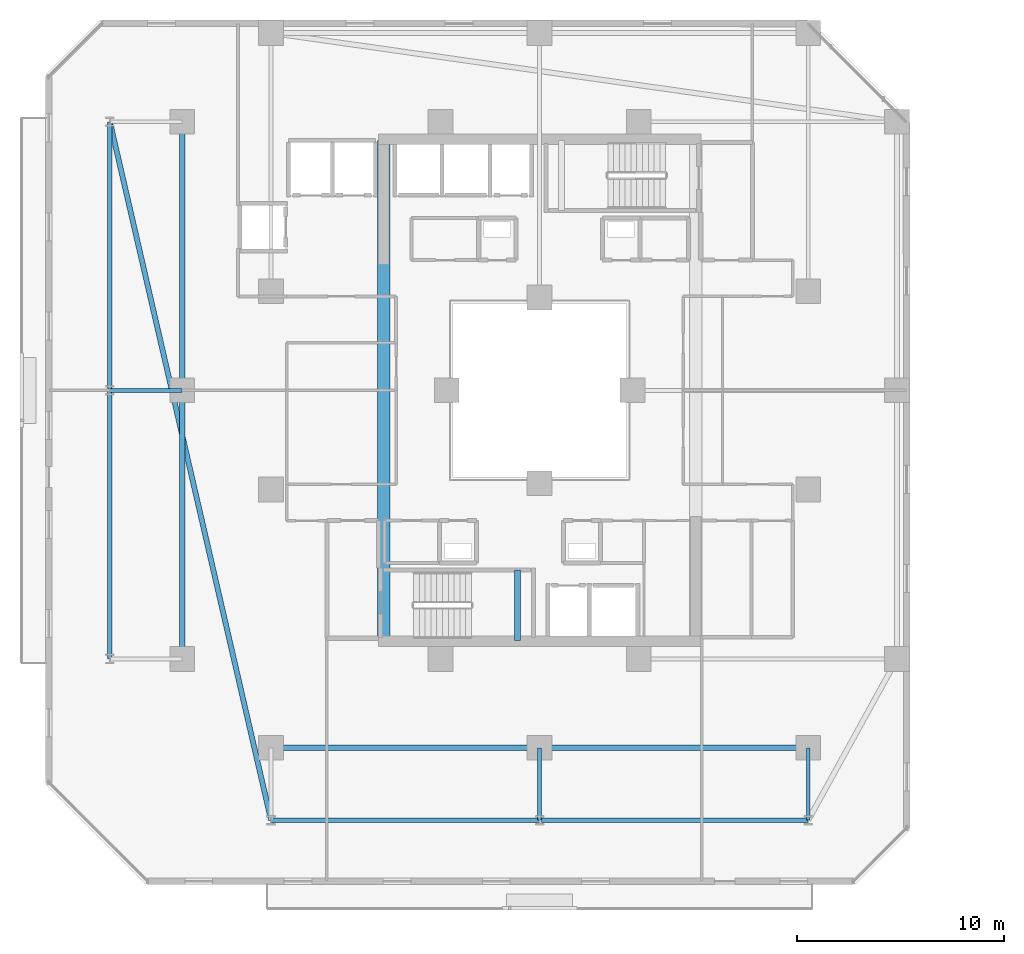
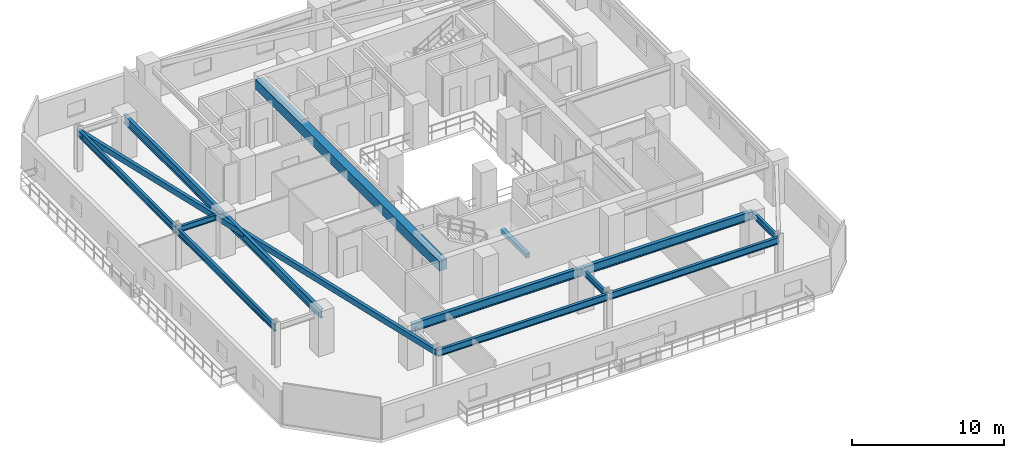
# One storey, part 4 of 34: 14 beams.
"""IFC4 building model written with IfcOpenShell, lengths in metres."""

from ifc_helpers import new_model, si_unit, direction, frame, origin, origin_2d, place, context, subcontext, project, spatial, rectangle, hollow_rectangle, i_section, extrude, material, material_profile, profile_set, type_object, element, save


model = new_model("IFC4")

# Units and contexts
model_context = context("Model", 3, precision=1e-05, world=origin(), true_north=direction((0.0, 1.0)))
body_context = subcontext(model_context, "Body", "Model", "MODEL_VIEW")
ifc_project = project(units=[si_unit("LENGTHUNIT", "METRE"), si_unit("AREAUNIT", "SQUARE_METRE"), si_unit("VOLUMEUNIT", "CUBIC_METRE"), si_unit("PLANEANGLEUNIT", "RADIAN"), si_unit("MASSUNIT", "GRAM", prefix="KILO")], contexts=[model_context])

# Site, building, storey
site_placement = place(None, origin())
site = spatial("IfcSite", under=ifc_project, at=site_placement, CompositionType="ELEMENT")
building_placement = place(site_placement, origin())
building = spatial("IfcBuilding", under=site, at=building_placement, Name="Thornwick Lancets Civic Towers", CompositionType="ELEMENT")
storey_placement = place(building_placement, frame((0.0, 0.0, 137.699951171875)))
storey = spatial("IfcBuildingStorey", under=building, at=storey_placement, Name="L36", CompositionType="ELEMENT", Elevation=137.699951171875)

# Beams
ifc_material_1 = material(Name="Concrete C60/75", Category="concrete")
ifc_material_profile_1 = material_profile(ifc_material_1, rectangle(XDim=0.60009765625, YDim=0.800048828125, at=origin_2d()), Name="RC 600x800")
ifc_profile_set_1 = profile_set([ifc_material_profile_1], Name="Concrete C60/75")
beam_type_1 = type_object("IfcBeamType", Name="BM_COUP_RC800", PredefinedType="BEAM", material=ifc_profile_set_1)
beam_1_placement = place(storey_placement, frame((17.949951171875, 14.89990234375, 2.880126953125), z_axis=(0.0, 1.0, 0.0), x_axis=(-1.0, 0.0, 0.0)))
element("IfcBeam", 1, at=beam_1_placement, inside=storey, type_object=beam_type_1, Name="CB-L36-A2", PredefinedType="BEAM", context=body_context, shape_type="SweptSolid", body=[
    extrude(rectangle(XDim=0.60009765625, YDim=0.800048828125, at=origin_2d()), origin(), (0.0, 0.0, 1.0), 24.2001953125),
])
ifc_material_2 = material(Name="Steel S355JR", Category="steel")
ifc_material_profile_2 = material_profile(ifc_material_2, i_section(OverallWidth=0.2119140625, OverallDepth=0.54443359375, WebThickness=0.0126953125, FlangeThickness=0.021240234375, FilletRadius=0.0126953125, at=origin_2d()), Name="UKB 533x210x122")
ifc_profile_set_2 = profile_set([ifc_material_profile_2], Name="Steel S355JR")
beam_type_2 = type_object("IfcBeamType", Name="BM_EDGE_533_122", PredefinedType="SPANDREL", material=ifc_profile_set_2)
beam_2_placement = place(storey_placement, frame((12.5, 6.199951171875, 3.0078125), z_axis=(1.0, 0.0, 0.0), x_axis=(0.0, 1.0, 0.0)))
element("IfcBeam", 2, at=beam_2_placement, inside=storey, type_object=beam_type_2, Name="BM-EDGE-L36-A-S0-1", PredefinedType="SPANDREL", context=body_context, shape_type="SweptSolid", body=[
    extrude(i_section(OverallWidth=0.2119140625, OverallDepth=0.54443359375, WebThickness=0.0126953125, FlangeThickness=0.021240234375, FilletRadius=0.0126953125, at=origin_2d()), origin(), (0.0, 0.0, 1.0), 13.0),
])
beam_3_placement = place(storey_placement, frame((25.580078125, 6.199951171875, 3.0078125), z_axis=(1.0, 0.0, 0.0), x_axis=(0.0, 1.0, 0.0)))
element("IfcBeam", 3, at=beam_3_placement, inside=storey, type_object=beam_type_2, Name="BM-EDGE-L36-A-S0-2", PredefinedType="SPANDREL", context=body_context, shape_type="SweptSolid", body=[
    extrude(i_section(OverallWidth=0.2119140625, OverallDepth=0.54443359375, WebThickness=0.0126953125, FlangeThickness=0.021240234375, FilletRadius=0.0126953125, at=origin_2d()), origin(), (0.0, 0.0, 1.0), 12.919921875),
])
beam_4_placement = place(storey_placement, frame((4.699951171875, 14.0, 3.0078125), z_axis=(0.0, 1.0, 0.0), x_axis=(-1.0, 0.0, 0.0)))
element("IfcBeam", 4, at=beam_4_placement, inside=storey, type_object=beam_type_2, Name="BM-EDGE-L36-A-S3-1", PredefinedType="SPANDREL", context=body_context, shape_type="SweptSolid", body=[
    extrude(i_section(OverallWidth=0.2119140625, OverallDepth=0.54443359375, WebThickness=0.0126953125, FlangeThickness=0.021240234375, FilletRadius=0.0126953125, at=origin_2d()), origin(), (0.0, 0.0, 1.0), 13.0),
])
beam_5_placement = place(storey_placement, frame((4.699951171875, 27.080078125, 3.0078125), z_axis=(0.0, 1.0, 0.0), x_axis=(-1.0, 0.0, 0.0)))
element("IfcBeam", 5, at=beam_5_placement, inside=storey, type_object=beam_type_2, Name="BM-EDGE-L36-A-S3-2", PredefinedType="SPANDREL", context=body_context, shape_type="SweptSolid", body=[
    extrude(i_section(OverallWidth=0.2119140625, OverallDepth=0.54443359375, WebThickness=0.0126953125, FlangeThickness=0.021240234375, FilletRadius=0.0126953125, at=origin_2d()), origin(), (0.0, 0.0, 1.0), 12.919921875),
])
ifc_material_profile_3 = material_profile(ifc_material_2, i_section(OverallWidth=0.255859375, OverallDepth=0.69287109375, WebThickness=0.014404296875, FlangeThickness=0.023681640625, FilletRadius=0.01513671875, at=origin_2d()), Name="UKB 686x254x170")
ifc_profile_set_3 = profile_set([ifc_material_profile_3], Name="Steel S355JR")
beam_type_3 = type_object("IfcBeamType", Name="BM_GIRD_686_170", PredefinedType="BEAM", material=ifc_profile_set_3)
beam_6_placement = place(storey_placement, frame((12.5, 9.699951171875, 2.93359375), z_axis=(1.0, 0.0, 0.0), x_axis=(0.0, 1.0, 0.0)))
element("IfcBeam", 6, at=beam_6_placement, inside=storey, type_object=beam_type_3, Name="BM-SPINE-L36-A-0-1", PredefinedType="BEAM", context=body_context, shape_type="SweptSolid", body=[
    extrude(i_section(OverallWidth=0.255859375, OverallDepth=0.69287109375, WebThickness=0.014404296875, FlangeThickness=0.023681640625, FilletRadius=0.01513671875, at=origin_2d()), origin(), (0.0, 0.0, 1.0), 13.0),
])
beam_7_placement = place(storey_placement, frame((25.580078125, 9.699951171875, 2.93359375), z_axis=(1.0, 0.0, 0.0), x_axis=(0.0, 1.0, 0.0)))
element("IfcBeam", 7, at=beam_7_placement, inside=storey, type_object=beam_type_3, Name="BM-SPINE-L36-A-1-2", PredefinedType="BEAM", context=body_context, shape_type="SweptSolid", body=[
    extrude(i_section(OverallWidth=0.255859375, OverallDepth=0.69287109375, WebThickness=0.014404296875, FlangeThickness=0.023681640625, FilletRadius=0.01513671875, at=origin_2d()), origin(), (0.0, 0.0, 1.0), 12.919921875),
])
beam_8_placement = place(storey_placement, frame((8.199951171875, 14.0, 2.93359375), z_axis=(0.0, 1.0, 0.0), x_axis=(-1.0, 0.0, 0.0)))
element("IfcBeam", 8, at=beam_8_placement, inside=storey, type_object=beam_type_3, Name="BM-SPINE-L36-A-9-10", PredefinedType="BEAM", context=body_context, shape_type="SweptSolid", body=[
    extrude(i_section(OverallWidth=0.255859375, OverallDepth=0.69287109375, WebThickness=0.014404296875, FlangeThickness=0.023681640625, FilletRadius=0.01513671875, at=origin_2d()), origin(), (0.0, 0.0, 1.0), 13.0),
])
beam_9_placement = place(storey_placement, frame((8.199951171875, 27.080078125, 2.93359375), z_axis=(0.0, 1.0, 0.0), x_axis=(-1.0, 0.0, 0.0)))
element("IfcBeam", 9, at=beam_9_placement, inside=storey, type_object=beam_type_3, Name="BM-SPINE-L36-A-10-11", PredefinedType="BEAM", context=body_context, shape_type="SweptSolid", body=[
    extrude(i_section(OverallWidth=0.255859375, OverallDepth=0.69287109375, WebThickness=0.014404296875, FlangeThickness=0.023681640625, FilletRadius=0.01513671875, at=origin_2d()), origin(), (0.0, 0.0, 1.0), 12.919921875),
])
ifc_material_profile_4 = material_profile(ifc_material_2, i_section(OverallWidth=0.19189453125, OverallDepth=0.46337890625, WebThickness=0.010498046875, FlangeThickness=0.017578125, FilletRadius=0.01025390625, at=origin_2d()), Name="UKB 457x191x89")
ifc_profile_set_4 = profile_set([ifc_material_profile_4], Name="Steel S355JR")
beam_type_4 = type_object("IfcBeamType", Name="BM_JOIST_457_89", PredefinedType="JOIST", material=ifc_profile_set_4)
for number, where, z_axis, x_axis, name in (
    (10, (25.5, 9.699951171875, 3.04833984375), (0.0, -1.0, 0.0), (1.0, 0.0, 0.0), "BM-RAD-L36-A02"),
    (11, (38.5, 9.699951171875, 3.04833984375), (0.0, -1.0, 0.0), (1.0, 0.0, 0.0), "BM-RAD-L36-A03"),
    (12, (8.199951171875, 27.0, 3.04833984375), (-1.0, 0.0, 0.0), (0.0, -1.0, 0.0), "BM-RAD-L36-A11"),
):
    element("IfcBeam", number, at=place(storey_placement, frame(where, z_axis=z_axis, x_axis=x_axis)), inside=storey, type_object=beam_type_4, Name=name, PredefinedType="JOIST", context=body_context, shape_type="SweptSolid", body=[
        extrude(i_section(OverallWidth=0.19189453125, OverallDepth=0.46337890625, WebThickness=0.010498046875, FlangeThickness=0.017578125, FilletRadius=0.01025390625, at=origin_2d()), origin(), (0.0, 0.0, 1.0), 3.5),
    ])
ifc_material_profile_5 = material_profile(ifc_material_2, hollow_rectangle(XDim=0.25, YDim=0.449951171875, WallThickness=0.01611328125, at=origin_2d()), Name="RHS 450x250x16")
ifc_profile_set_5 = profile_set([ifc_material_profile_5], Name="Steel S355JR")
beam_type_5 = type_object("IfcBeamType", Name="BM_RING_RHS450", PredefinedType="BEAM", material=ifc_profile_set_5)
beam_10_placement = place(storey_placement, frame((4.699951171875, 40.0, 3.054931640625), z_axis=(0.224860534737, -0.974390958454, 0.0), x_axis=(0.974390958454, 0.224860534737, 0.0)))
element("IfcBeam", 13, at=beam_10_placement, inside=storey, type_object=beam_type_5, Name="BM-CHAMF-L36-A-C3", PredefinedType="BEAM", context=body_context, shape_type="SweptSolid", body=[
    extrude(hollow_rectangle(XDim=0.25, YDim=0.449951171875, WallThickness=0.01611328125, at=origin_2d()), origin(), (0.0, 0.0, 1.0), 34.6884765625),
])
ifc_material_3 = material(Name="Concrete C40/50", Category="concrete")
ifc_material_profile_6 = material_profile(ifc_material_3, rectangle(XDim=0.300048828125, YDim=0.35009765625, at=origin_2d()), Name="RC 300x350")
ifc_profile_set_6 = profile_set([ifc_material_profile_6], Name="Concrete C40/50")
beam_type_6 = type_object("IfcBeamType", Name="BM_STAIR_LDG", PredefinedType="BEAM", material=ifc_profile_set_6)
beam_11_placement = place(storey_placement, frame((24.43505859375, 14.89990234375, 1.3779296875), z_axis=(0.0, 1.0, 0.0), x_axis=(-1.0, 0.0, 0.0)))
element("IfcBeam", 14, at=beam_11_placement, inside=storey, type_object=beam_type_6, Name="L36 ST-A1 Landing Support Beam 1", PredefinedType="BEAM", context=body_context, shape_type="SweptSolid", body=[
    extrude(rectangle(XDim=0.300048828125, YDim=0.35009765625, at=origin_2d()), origin(), (0.0, 0.0, 1.0), 3.400146484375),
])

save(model, "model.ifc")
